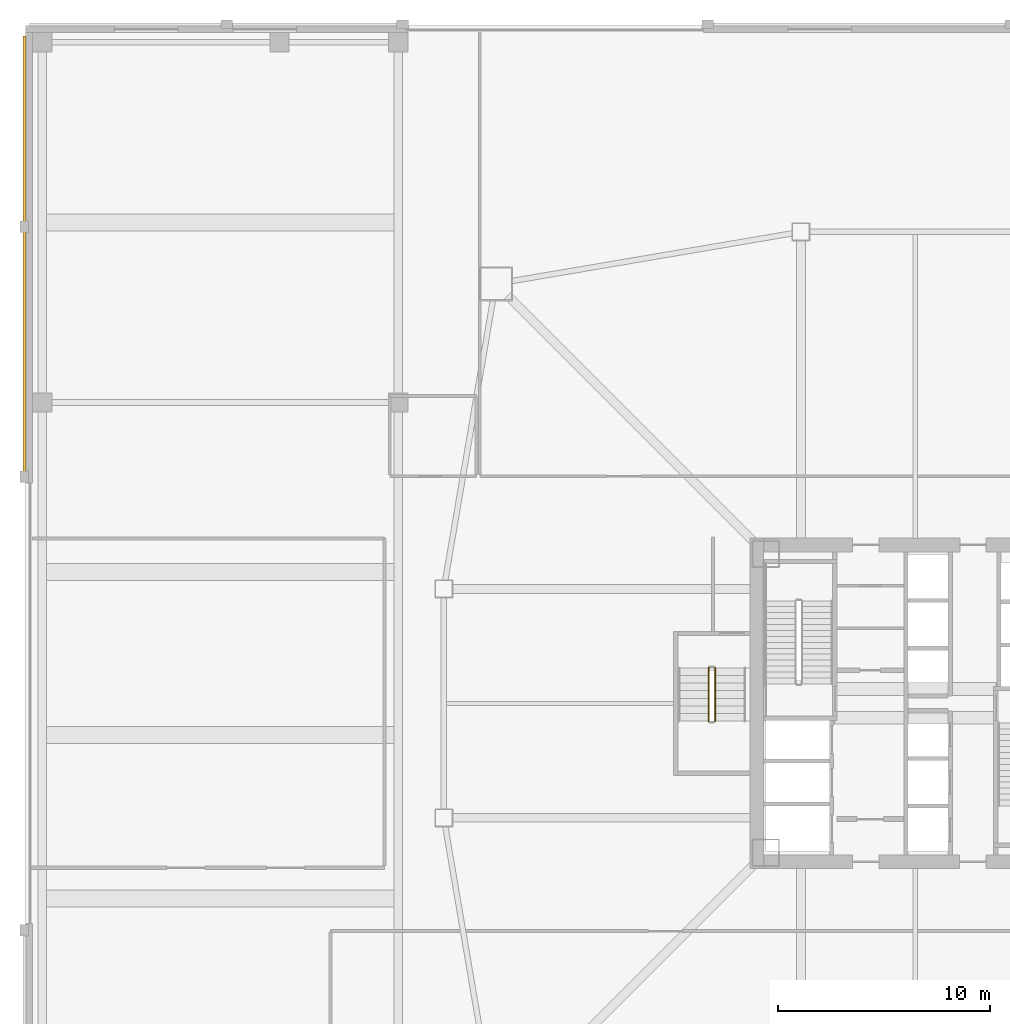
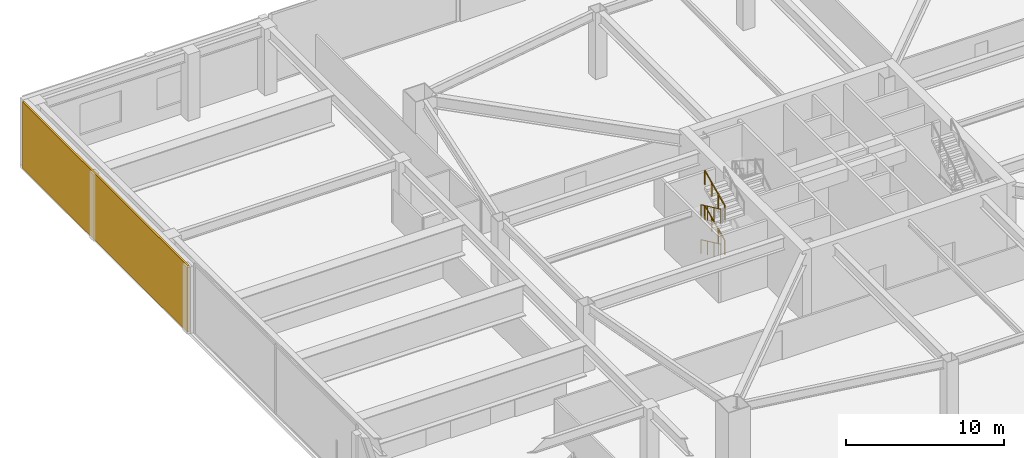
# One storey, part 43 of 48: 4 railings, 1 covering.
"""IFC4 building model written with IfcOpenShell, lengths in metres."""

from ifc_helpers import new_model, si_unit, direction, frame, origin, origin_2d, place, context, subcontext, project, spatial, rectangle, extrude, material, layer, layer_set, type_object, element, save


model = new_model("IFC4")

# Units and contexts
model_context = context("Model", 3, precision=1e-05, world=origin(), true_north=direction((0.0, 1.0)))
body_context = subcontext(model_context, "Body", "Model", "MODEL_VIEW")
ifc_project = project(units=[si_unit("LENGTHUNIT", "METRE"), si_unit("AREAUNIT", "SQUARE_METRE"), si_unit("VOLUMEUNIT", "CUBIC_METRE"), si_unit("PLANEANGLEUNIT", "RADIAN"), si_unit("MASSUNIT", "GRAM", prefix="KILO")], contexts=[model_context])

# Site, building, storey
site_placement = place(None, origin())
site = spatial("IfcSite", under=ifc_project, at=site_placement, CompositionType="ELEMENT")
building_placement = place(site_placement, origin())
building = spatial("IfcBuilding", under=site, at=building_placement, Name="Tashvorn Skyway Center", CompositionType="ELEMENT")
storey_placement = place(building_placement, frame((0.0, 0.0, 10.199951171875)))
storey = spatial("IfcBuildingStorey", under=building, at=storey_placement, Name="L02", CompositionType="ELEMENT", Elevation=10.199951171875)

# Covering
ifc_material_1 = material(Name="Precast concrete C40/50", Category="concrete")
ifc_layer = layer(ifc_material_1, 0.35009765625)
ifc_layer_set = layer_set([ifc_layer], Name="Precast concrete C40/50")
covering_type = type_object("IfcCoveringType", Name="COV-STONE-TRIM", PredefinedType="CLADDING", material=ifc_layer_set)
covering_placement = place(storey_placement, frame((-0.0400390625, 53.050048828125, 0.0), z_axis=(0.0, 0.0, 1.0), x_axis=(1.0, 0.0, 0.0)))
element("IfcCovering", 1, at=covering_placement, inside=storey, type_object=covering_type, Name="L02 Limestone Rusticated Pier W-N", PredefinedType="CLADDING", context=body_context, shape_type="SweptSolid", body=[
    extrude(rectangle(XDim=0.139892578125, YDim=20.89990234375, at=origin_2d()), origin(), (0.0, 0.0, 1.0), 5.139892578125),
])

# Railings
ifc_material_2 = material(Name="Painted galvanized steel S355", Category="steel")
railing_type = type_object("IfcRailingType", Name="RAIL-STGUARD-1100", PredefinedType="GUARDRAIL", material=ifc_material_2)
railing_1_placement = place(storey_placement, frame((32.25, 33.679931640625, 0.168701171875)))
element("IfcRailing", 2, at=railing_1_placement, inside=storey, type_object=railing_type, Name="L02 ST-T1-3 stair guard 1", PredefinedType="GUARDRAIL", context=body_context, shape_type="SweptSolid", body=[
    extrude(rectangle(XDim=0.048095703125, YDim=0.048095703125, at=origin_2d()), frame((0.0, 0.0, 1.076171875), z_axis=(0.0, -0.905439972488, 0.424474329284), x_axis=(1.0, 0.0, 0.0)), (0.0, 0.0, 1.0), 2.783203125),
    extrude(rectangle(XDim=0.0419921875, YDim=0.0419921875, at=origin_2d()), origin(), (0.0, 0.0, 1.0), 1.052001953125),
    extrude(rectangle(XDim=0.0419921875, YDim=0.0419921875, at=origin_2d()), frame((0.0, -0.840087890625, 0.393798828125)), (0.0, 0.0, 1.0), 1.052001953125),
    extrude(rectangle(XDim=0.0419921875, YDim=0.0419921875, at=origin_2d()), frame((0.0, -1.679931640625, 0.78759765625)), (0.0, 0.0, 1.0), 1.052001953125),
    extrude(rectangle(XDim=0.0419921875, YDim=0.0419921875, at=origin_2d()), frame((0.0, -2.52001953125, 1.181396484375)), (0.0, 0.0, 1.0), 1.052001953125),
])
railing_2_placement = place(storey_placement, frame((32.550048828125, 31.159912109375, 1.518798828125)))
element("IfcRailing", 3, at=railing_2_placement, inside=storey, type_object=railing_type, Name="L02 ST-T1-3 stair guard 3", PredefinedType="GUARDRAIL", context=body_context, shape_type="SweptSolid", body=[
    extrude(rectangle(XDim=0.048095703125, YDim=0.048095703125, at=origin_2d()), frame((0.0, 0.0, 1.076171875), z_axis=(0.0, 0.905473684625, 0.424402410988), x_axis=(-1.0, 0.0, 0.0)), (0.0, 0.0, 1.0), 2.783203125),
    extrude(rectangle(XDim=0.0419921875, YDim=0.0419921875, at=origin_2d()), origin(), (0.0, 0.0, 1.0), 1.052001953125),
    extrude(rectangle(XDim=0.0419921875, YDim=0.0419921875, at=origin_2d()), frame((0.0, 0.840087890625, 0.393798828125)), (0.0, 0.0, 1.0), 1.052001953125),
    extrude(rectangle(XDim=0.0419921875, YDim=0.0419921875, at=origin_2d()), frame((0.0, 1.679931640625, 0.787353515625)), (0.0, 0.0, 1.0), 1.052001953125),
    extrude(rectangle(XDim=0.0419921875, YDim=0.0419921875, at=origin_2d()), frame((0.0, 2.52001953125, 1.18115234375)), (0.0, 0.0, 1.0), 1.052001953125),
])
railing_3_placement = place(storey_placement, frame((32.25, 33.679931640625, 2.868896484375)))
element("IfcRailing", 4, at=railing_3_placement, inside=storey, type_object=railing_type, Name="L02 ST-T1-3 stair guard 5", PredefinedType="GUARDRAIL", context=body_context, shape_type="SweptSolid", body=[
    extrude(rectangle(XDim=0.048095703125, YDim=0.048095703125, at=origin_2d()), frame((0.0, 0.0, 1.076171875), z_axis=(0.0, -0.905473684625, 0.424402410988), x_axis=(1.0, 0.0, 0.0)), (0.0, 0.0, 1.0), 2.783203125),
    extrude(rectangle(XDim=0.0419921875, YDim=0.0419921875, at=origin_2d()), origin(), (0.0, 0.0, 1.0), 1.052001953125),
    extrude(rectangle(XDim=0.0419921875, YDim=0.0419921875, at=origin_2d()), frame((0.0, -0.840087890625, 0.393798828125)), (0.0, 0.0, 1.0), 1.052001953125),
    extrude(rectangle(XDim=0.0419921875, YDim=0.0419921875, at=origin_2d()), frame((0.0, -1.679931640625, 0.787353515625)), (0.0, 0.0, 1.0), 1.052001953125),
    extrude(rectangle(XDim=0.0419921875, YDim=0.0419921875, at=origin_2d()), frame((0.0, -2.52001953125, 1.18115234375)), (0.0, 0.0, 1.0), 1.052001953125),
])
railing_4_placement = place(storey_placement, frame((32.550048828125, 31.159912109375, 4.21875)))
element("IfcRailing", 5, at=railing_4_placement, inside=storey, type_object=railing_type, Name="L02 ST-T1-3 stair guard 7", PredefinedType="GUARDRAIL", context=body_context, shape_type="SweptSolid", body=[
    extrude(rectangle(XDim=0.048095703125, YDim=0.048095703125, at=origin_2d()), frame((0.0, 0.0, 1.076171875), z_axis=(0.0, 0.905439972488, 0.424474329284), x_axis=(-1.0, 0.0, 0.0)), (0.0, 0.0, 1.0), 2.783203125),
    extrude(rectangle(XDim=0.0419921875, YDim=0.0419921875, at=origin_2d()), origin(), (0.0, 0.0, 1.0), 1.052001953125),
    extrude(rectangle(XDim=0.0419921875, YDim=0.0419921875, at=origin_2d()), frame((0.0, 0.840087890625, 0.393798828125)), (0.0, 0.0, 1.0), 1.052001953125),
    extrude(rectangle(XDim=0.0419921875, YDim=0.0419921875, at=origin_2d()), frame((0.0, 1.679931640625, 0.78759765625)), (0.0, 0.0, 1.0), 1.052001953125),
    extrude(rectangle(XDim=0.0419921875, YDim=0.0419921875, at=origin_2d()), frame((0.0, 2.52001953125, 1.181396484375)), (0.0, 0.0, 1.0), 1.052001953125),
])

save(model, "model.ifc")
